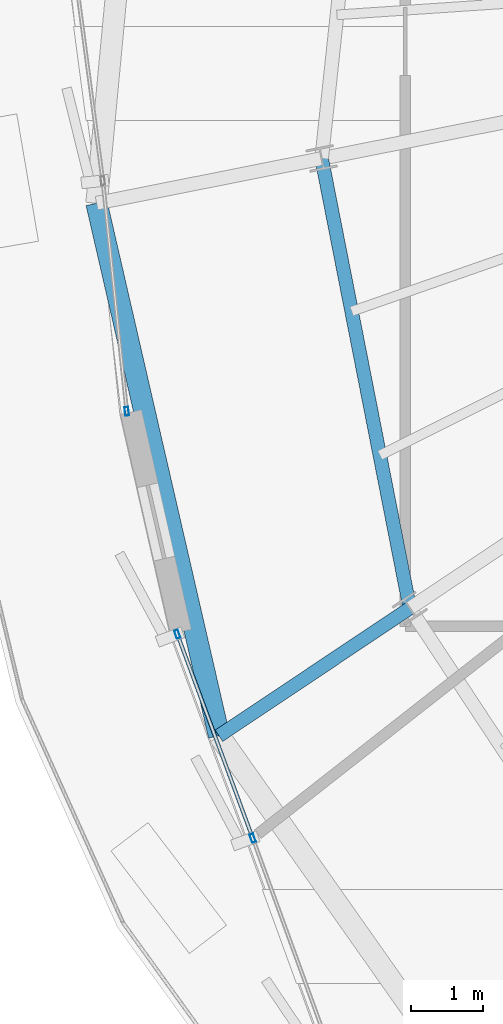
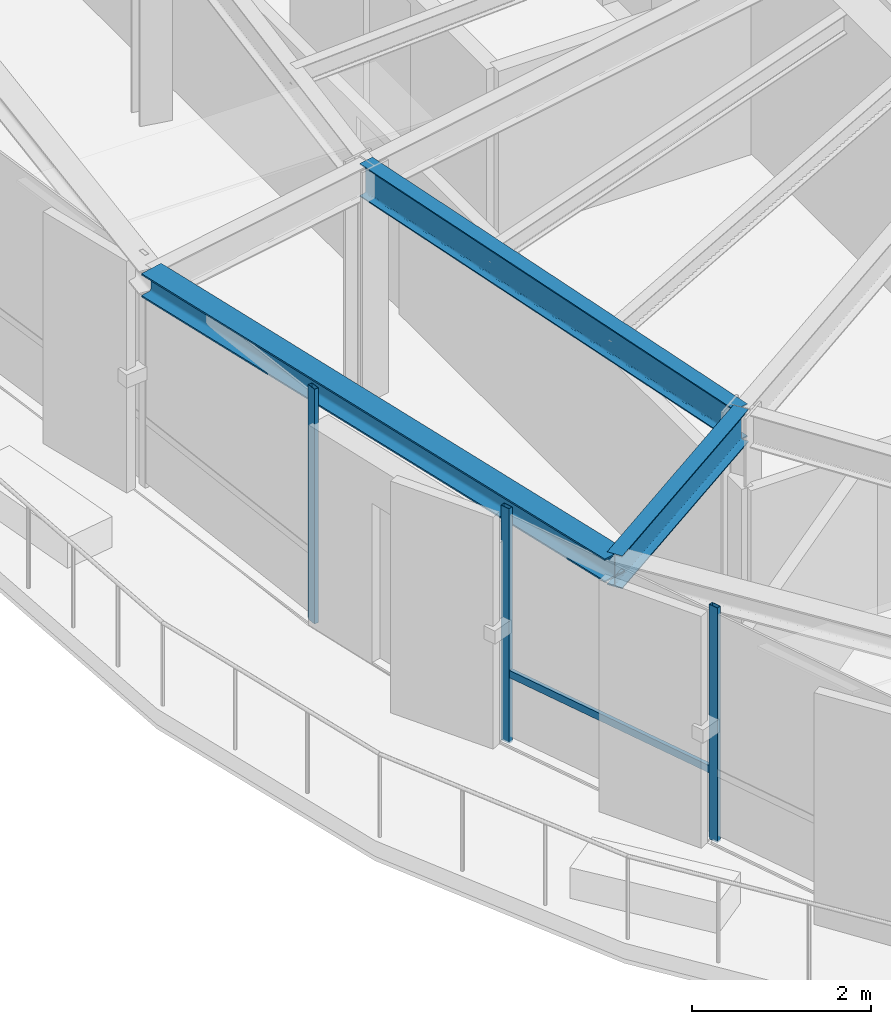
# One storey, part 4 of 32: 4 members, 3 beams, 2 elements without a shape of their own.
"""IFC4 building model written with IfcOpenShell, lengths in metres."""

from ifc_helpers import new_model, si_unit, direction, frame, origin, origin_2d, place, context, subcontext, project, spatial, hollow_rectangle, i_section, extrude, source, transform, mapped, material, layer, layer_set, material_profile, profile_set, type_object, element, aggregate, save


model = new_model("IFC4")

# Units and contexts
model_context = context("Model", 3, precision=1e-05, world=origin(), true_north=direction((0.0, 1.0)))
body_context = subcontext(model_context, "Body", "Model", "MODEL_VIEW")
ifc_project = project(units=[si_unit("LENGTHUNIT", "METRE"), si_unit("AREAUNIT", "SQUARE_METRE"), si_unit("VOLUMEUNIT", "CUBIC_METRE"), si_unit("PLANEANGLEUNIT", "RADIAN"), si_unit("MASSUNIT", "GRAM", prefix="KILO"), si_unit("THERMODYNAMICTEMPERATUREUNIT", "KELVIN")], contexts=[model_context])

# Site, building, storey
site_placement = place(None, origin())
site = spatial("IfcSite", under=ifc_project, at=site_placement, CompositionType="ELEMENT")
building_placement = place(site_placement, origin())
building = spatial("IfcBuilding", under=site, at=building_placement, Name="Kethvar Cultural Tower", CompositionType="ELEMENT")
storey_placement = place(building_placement, frame((0.0, 0.0, 252.550048828125)))
storey = spatial("IfcBuildingStorey", under=building, at=storey_placement, Name="L66", CompositionType="ELEMENT", Elevation=252.550048828125)

# Beams
ifc_material_1 = material(Name="Steel S355J2", Category="steel")
ifc_material_profile_1 = material_profile(ifc_material_1, i_section(OverallWidth=0.18994140625, OverallDepth=0.449951171875, WebThickness=0.009521484375, FlangeThickness=0.0146484375, FilletRadius=0.02099609375, at=origin_2d()), Name="Steel S355J2 — IPE450")
ifc_profile_set_1 = profile_set([ifc_material_profile_1], Name="Steel S355J2 — IPE450")
beam_type_1 = type_object("IfcBeamType", Name="BM-IPE450", PredefinedType="BEAM", material=ifc_profile_set_1)
shared_shape_1 = source(origin(), body_context, "Body", "SweptSolid", [
    extrude(i_section(OverallWidth=0.18994140625, OverallDepth=0.449951171875, WebThickness=0.009521484375, FlangeThickness=0.0146484375, FilletRadius=0.02099609375, at=origin_2d()), origin(), (0.0, 0.0, 1.0), 3.199951171875),
])
beam_1_placement = place(storey_placement, frame((32.912841796875, 18.52099609375, 2.98291015625), z_axis=(-0.831462943996, -0.555580212716, 0.0), x_axis=(0.555580212716, -0.831462943996, 0.0)))
element("IfcBeam", 1, at=beam_1_placement, inside=storey, type_object=beam_type_1, Name="L66 Perimeter Cantilever Beam RC-10", PredefinedType="BEAM", context=body_context, shape_type="MappedRepresentation", body=[
    mapped(shared_shape_1, transform((0.0, 0.0, 0.0), scale=1.0)),
])
shared_shape_2 = source(origin(), body_context, "Body", "SweptSolid", [
    extrude(i_section(OverallWidth=0.18994140625, OverallDepth=0.449951171875, WebThickness=0.009521484375, FlangeThickness=0.0146484375, FilletRadius=0.02099609375, at=origin_2d()), origin(), (0.0, 0.0, 1.0), 6.391357421875),
])
beam_2_placement = place(storey_placement, frame((31.68310546875, 24.79296875, 2.98291015625), z_axis=(0.192405084368, -0.981315588131, 0.0), x_axis=(0.981315588131, 0.192405084368, 0.0)))
element("IfcBeam", 2, at=beam_2_placement, inside=storey, type_object=beam_type_1, Name="L66 Column Ring Tie Beam CR-09", PredefinedType="BEAM", context=body_context, shape_type="MappedRepresentation", body=[
    mapped(shared_shape_2, transform((0.0, 0.0, 0.0), scale=1.0)),
])
ifc_material_profile_2 = material_profile(ifc_material_1, i_section(OverallWidth=0.300048828125, OverallDepth=0.320068359375, WebThickness=0.011474609375, FlangeThickness=0.0205078125, FilletRadius=0.027099609375, at=origin_2d()), Name="Steel S355J2 — HEB320")
ifc_profile_set_2 = profile_set([ifc_material_profile_2], Name="Steel S355J2 — HEB320")
beam_type_2 = type_object("IfcBeamType", Name="BM-SP320", PredefinedType="SPANDREL", material=ifc_profile_set_2)
shared_shape_3 = source(origin(), body_context, "Body", "SweptSolid", [
    extrude(i_section(OverallWidth=0.300048828125, OverallDepth=0.320068359375, WebThickness=0.011474609375, FlangeThickness=0.0205078125, FilletRadius=0.027099609375, at=origin_2d()), origin(), (0.0, 0.0, 1.0), 7.619384765625),
])
beam_3_placement = place(storey_placement, frame((28.54443359375, 24.168701171875, 3.0478515625), z_axis=(0.224133998424, -0.974558336248, 0.0), x_axis=(0.974558336248, 0.224133998424, 0.0)))
element("IfcBeam", 3, at=beam_3_placement, inside=storey, type_object=beam_type_2, Name="L66 Perimeter Spandrel Beam SP-09", PredefinedType="SPANDREL", context=body_context, shape_type="MappedRepresentation", body=[
    mapped(shared_shape_3, transform((0.0, 0.0, 0.0), scale=1.0)),
])

# Curtain wall, member
ifc_material_2 = material(Name="Aluminium 6063-T6", Category="aluminium")
ifc_layer = layer(ifc_material_2, 0.179931640625, Name="Aluminium 6063-T6", Category="aluminium")
ifc_layer_set = layer_set([ifc_layer], Name="Aluminium 6063-T6 (180 mm)")
curtain_wall_type = type_object("IfcCurtainWallType", Name="CW-SYS-05-Z56", PredefinedType="NOTDEFINED", material=ifc_layer_set)
curtain_wall_1_placement = place(storey_placement, origin())
curtain_wall_1 = element("IfcCurtainWall", 4, at=curtain_wall_1_placement, inside=storey, type_object=curtain_wall_type, Name="L66 Curtain Wall Run 03", PredefinedType="NOTDEFINED")
ifc_material_profile_3 = material_profile(ifc_material_2, hollow_rectangle(XDim=0.054931640625, YDim=0.1201171875, WallThickness=0.00390625, at=origin_2d()), Name="Aluminium 6063-T6 — RHS120x55x4")
ifc_profile_set_3 = profile_set([ifc_material_profile_3], Name="Aluminium 6063-T6 — RHS120x55x4")
member_type_1 = type_object("IfcMemberType", Name="CW-SYS-05-Z56-MUL", PredefinedType="MULLION", material=ifc_profile_set_3)
shared_shape_4 = source(origin(), body_context, "Body", "SweptSolid", [
    extrude(hollow_rectangle(XDim=0.054931640625, YDim=0.1201171875, WallThickness=0.00390625, at=origin_2d()), origin(), (0.0, 0.0, 1.0), 3.2099609375),
])
member_1_placement = place(storey_placement, frame((28.965576171875, 21.2666015625, 0.0), z_axis=(0.0, 0.0, 1.0), x_axis=(0.994643447884, 0.103365427401, 0.0)))
member_1 = element("IfcMember", 5, at=member_1_placement, type_object=member_type_1, Name="CW-L66-R03 Mullion 3", PredefinedType="MULLION", context=body_context, shape_type="MappedRepresentation", body=[
    mapped(shared_shape_4, transform((0.0, 0.0, 0.0), scale=1.0)),
])
aggregate(curtain_wall_1, [member_1])

# Curtain wall, members
curtain_wall_2_placement = place(storey_placement, origin())
curtain_wall_2 = element("IfcCurtainWall", 6, at=curtain_wall_2_placement, inside=storey, type_object=curtain_wall_type, Name="L66 Curtain Wall Run 04", PredefinedType="NOTDEFINED")
member_2_placement = place(storey_placement, frame((29.671142578125, 18.157958984375, 0.0), z_axis=(0.0, 0.0, 1.0), x_axis=(0.937997881377, 0.346640987959, 0.0)))
member_2 = element("IfcMember", 7, at=member_2_placement, type_object=member_type_1, Name="CW-L66-R04 Mullion 1", PredefinedType="MULLION", context=body_context, shape_type="MappedRepresentation", body=[
    mapped(shared_shape_4, transform((0.0, 0.0, 0.0), scale=1.0)),
])
member_3_placement = place(storey_placement, frame((30.7216796875, 15.31494140625, 0.0), z_axis=(0.0, 0.0, 1.0), x_axis=(0.939680681458, 0.342052944578, 0.0)))
member_3 = element("IfcMember", 8, at=member_3_placement, type_object=member_type_1, Name="CW-L66-R04 Mullion 2", PredefinedType="MULLION", context=body_context, shape_type="MappedRepresentation", body=[
    mapped(shared_shape_4, transform((0.0, 0.0, 0.0), scale=1.0)),
])
ifc_material_profile_4 = material_profile(ifc_material_2, hollow_rectangle(XDim=0.050048828125, YDim=0.10009765625, WallThickness=0.00390625, at=origin_2d()), Name="Aluminium 6063-T6 — RHS100x50x4")
ifc_profile_set_4 = profile_set([ifc_material_profile_4], Name="Aluminium 6063-T6 — RHS100x50x4")
member_type_2 = type_object("IfcMemberType", Name="CW-SYS-05-Z56-TRN", PredefinedType="USERDEFINED", material=ifc_profile_set_4)
shared_shape_5 = source(origin(), body_context, "Body", "SweptSolid", [
    extrude(hollow_rectangle(XDim=0.050048828125, YDim=0.10009765625, WallThickness=0.00390625, at=origin_2d()), origin(), (0.0, 0.0, 1.0), 2.987060546875),
])
member_4_placement = place(storey_placement, frame((29.67236328125, 18.154296875, 0.949951171875), z_axis=(0.346712672026, -0.937971387121, 0.0), x_axis=(0.937971387121, 0.346712672026, 0.0)))
member_4 = element("IfcMember", 9, at=member_4_placement, type_object=member_type_2, Name="CW-L66-R04 Transom 1", ObjectType="TRANSOM", PredefinedType="USERDEFINED", context=body_context, shape_type="MappedRepresentation", body=[
    mapped(shared_shape_5, transform((0.0, 0.0, 0.0), scale=1.0)),
])
aggregate(curtain_wall_2, [member_2, member_3, member_4])

save(model, "model.ifc")
